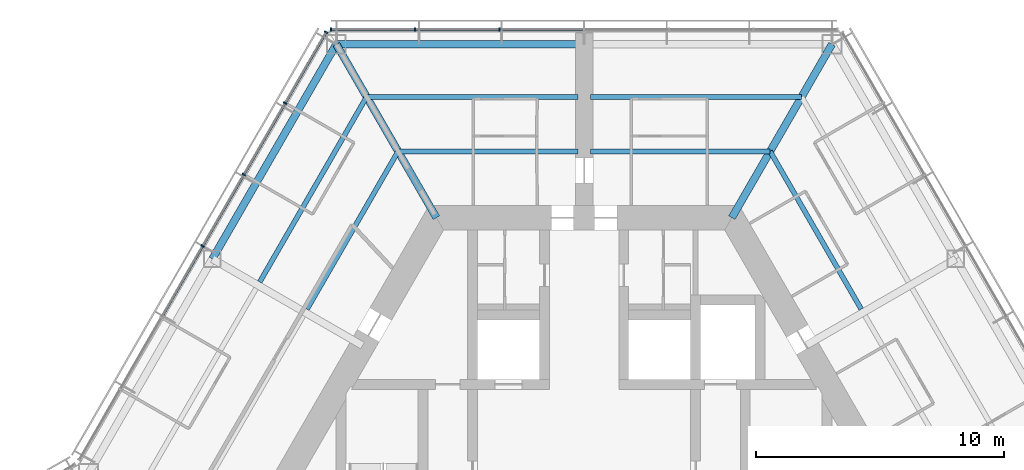
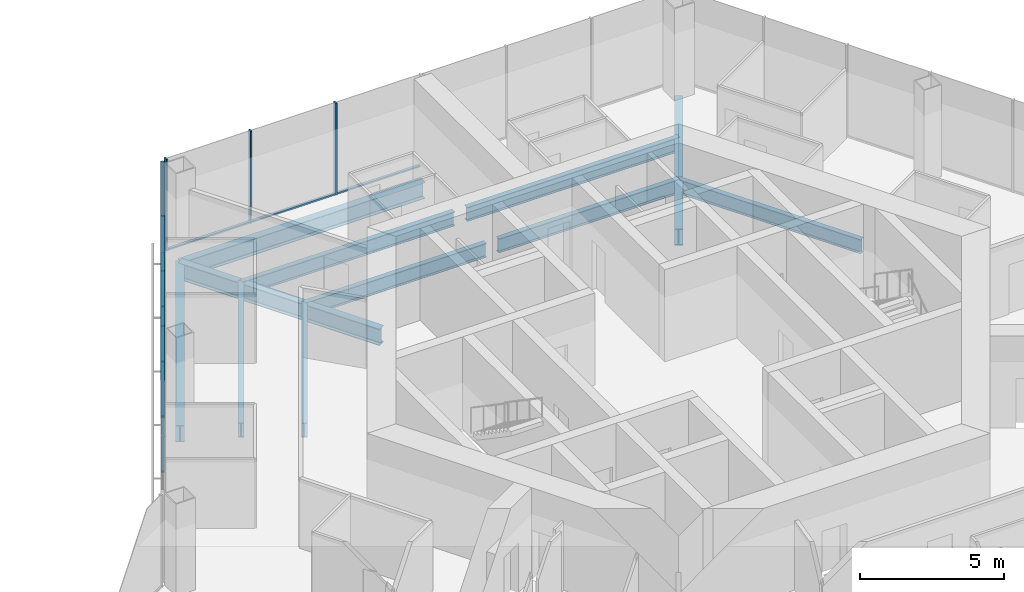
# One storey, part 7 of 19: 14 members, 11 beams, 2 elements without a shape of their own.
"""IFC4 building model written with IfcOpenShell, lengths in metres."""

import ifcopenshell
import ifcopenshell.guid

model = None  # the IFC model being written
_history = None  # IfcOwnerHistory: only IFC2X3 demands one
_inside = {}  # id of a spatial element -> (the spatial element, [elements in it])
_under = {}  # id of a project, library or spatial element -> (it, [spatial elements below it])
_declared = {}  # id of a project -> (the project, [libraries it declares])
_typed = {}  # id of a type object -> (the type object, [elements of that type])
_made_of = {}  # id of a material, layer set ... -> (it, [elements and type objects made of it])


def new_model(schema):
    """Start an empty IFC model of exactly this schema.

    Asked for "IFC4X3", IfcOpenShell would pick the latest addendum, in which some entities
    have other attributes; the version numbers below select the first issue.
    IFC2X3 requires an IfcOwnerHistory on every rooted entity: one is made here for all.
    """
    global model, _history
    if schema == "IFC4X3":
        model = ifcopenshell.file(schema_version=(4, 3, 0, 0))
    else:
        model = ifcopenshell.file(schema=schema)
    _inside.clear()
    _under.clear()
    _declared.clear()
    _typed.clear()
    _made_of.clear()
    _history = None
    if model.schema == "IFC2X3":
        org = make("IfcOrganization", Name="unknown")
        user = make(
            "IfcPersonAndOrganization",
            ThePerson=make("IfcPerson", FamilyName="unknown"),
            TheOrganization=org,
        )
        app = make(
            "IfcApplication",
            ApplicationDeveloper=org,
            Version="unknown",
            ApplicationFullName="unknown",
            ApplicationIdentifier="unknown",
        )
        _history = make(
            "IfcOwnerHistory",
            OwningUser=user,
            OwningApplication=app,
            ChangeAction="ADDED",
            CreationDate=0,
        )
    return model


def make(cls, **values):
    """One entity of the class cls with the attributes given. An attribute that is None is left unset."""
    return model.create_entity(
        cls, **{name: value for name, value in values.items() if value is not None}
    )


def rooted(cls, **values):
    """An entity with a GlobalId (a new one), such as an element, a storey or a relation."""
    return make(cls, GlobalId=ifcopenshell.guid.new(), OwnerHistory=_history, **values)


def si_unit(unit_type, name, prefix=None):
    """IfcSIUnit, for example si_unit("LENGTHUNIT", "METRE", prefix="MILLI")."""
    return make("IfcSIUnit", UnitType=unit_type, Prefix=prefix, Name=name)


def assignment(units):
    """IfcUnitAssignment: the units of a project."""
    return None if units is None else make("IfcUnitAssignment", Units=units)


def point(xyz):
    """IfcCartesianPoint."""
    return None if xyz is None else make("IfcCartesianPoint", Coordinates=xyz)


def direction(xyz):
    """IfcDirection."""
    return None if xyz is None else make("IfcDirection", DirectionRatios=xyz)


def frame(location, z_axis=None, x_axis=None):
    """IfcAxis2Placement3D, a coordinate frame: its origin and axes. An axis left out is left unset."""
    return make(
        "IfcAxis2Placement3D",
        Location=point(location),
        Axis=direction(z_axis),
        RefDirection=direction(x_axis),
    )


def frame_2d(location, x_axis=None):
    """IfcAxis2Placement2D, a coordinate frame in the plane: its origin and x axis."""
    return make(
        "IfcAxis2Placement2D", Location=point(location), RefDirection=direction(x_axis)
    )


def origin():
    """The frame at (0, 0, 0) with its axes left unset."""
    return frame((0.0, 0.0, 0.0))


def origin_2d():
    """The frame at (0, 0) in the plane with its x axis left unset."""
    return frame_2d((0.0, 0.0))


def place(relative_to, where):
    """IfcLocalPlacement: puts the frame where relative to a parent placement (None: the world)."""
    return make(
        "IfcLocalPlacement", PlacementRelTo=relative_to, RelativePlacement=where
    )


def context(
    kind, dimensions, precision=None, world=None, true_north=None, identifier=None
):
    """IfcGeometricRepresentationContext, for example the 3D "Model" context."""
    return make(
        "IfcGeometricRepresentationContext",
        ContextIdentifier=identifier,
        ContextType=kind,
        CoordinateSpaceDimension=dimensions,
        Precision=precision,
        WorldCoordinateSystem=world,
        TrueNorth=true_north,
    )


def subcontext(parent, identifier, kind, view, scale=None):
    """IfcGeometricRepresentationSubContext, for example "Body" below "Model"."""
    return make(
        "IfcGeometricRepresentationSubContext",
        ContextIdentifier=identifier,
        ContextType=kind,
        ParentContext=parent,
        TargetScale=scale,
        TargetView=view,
    )


def project(units=None, contexts=None):
    """IfcProject with its units and contexts."""
    return rooted(
        "IfcProject",
        Name="project",
        RepresentationContexts=contexts,
        UnitsInContext=assignment(units),
    )


def spatial(cls, under=None, at=None, **own):
    """A site, building, storey or space (cls), placed at a placement, below another one or the project."""
    s = rooted(cls, ObjectPlacement=at, **own)
    if under is not None:
        _under.setdefault(under.id(), (under, []))[1].append(s)
    return s


def profile(cls, at=None, kind="AREA", **sizes):
    """A parametric profile (cls). Its sizes go by their IFC names, for example OverallWidth=200.0."""
    return make(cls, ProfileType=kind, Position=at, **sizes)


def rectangle(**sizes):
    """IfcRectangleProfileDef."""
    return profile("IfcRectangleProfileDef", **sizes)


def i_section(**sizes):
    """IfcIShapeProfileDef."""
    return profile("IfcIShapeProfileDef", **sizes)


def extrude(swept, where, along, depth):
    """IfcExtrudedAreaSolid: the profile swept, set in the frame where, extruded along a direction by depth."""
    return make(
        "IfcExtrudedAreaSolid",
        SweptArea=swept,
        Position=where,
        ExtrudedDirection=direction(along),
        Depth=depth,
    )


def shape(context_of_items, identifier, shape_type, items):
    """IfcShapeRepresentation: the items that make up one representation, for example the "Body"."""
    return make(
        "IfcShapeRepresentation",
        ContextOfItems=context_of_items,
        RepresentationIdentifier=identifier,
        RepresentationType=shape_type,
        Items=items,
    )


def material(Name=None, Category=None):
    """IfcMaterial."""
    return make("IfcMaterial", Name=Name, Category=Category)


def material_profile(
    of_material, cross_section, Name=None, Category=None, Priority=None
):
    """IfcMaterialProfile: a cross section and its material."""
    return make(
        "IfcMaterialProfile",
        Name=Name,
        Material=of_material,
        Profile=cross_section,
        Priority=Priority,
        Category=Category,
    )


def profile_set(profiles, Name=None, composite=None):
    """IfcMaterialProfileSet."""
    return make(
        "IfcMaterialProfileSet",
        Name=Name,
        MaterialProfiles=profiles,
        CompositeProfile=composite,
    )


def made_of(thing, what):
    """Note that an element or type object is made of a material, layer set ...; save() writes the relation."""
    if what is not None:
        _made_of.setdefault(what.id(), (what, []))[1].append(thing)
    return thing


def type_object(cls, material=None, **own):
    """A type object (cls), such as IfcWallType, which elements share."""
    return made_of(rooted(cls, **own), material)


def element(
    cls,
    number,
    at=None,
    inside=None,
    cuts=None,
    type_object=None,
    material=None,
    context=None,
    identifier="Body",
    shape_type=None,
    held_by="IfcProductDefinitionShape",
    body=None,
    shapes=None,
    **own,
):
    """One element of the class cls, such as IfcWall. Its Tag is "e" and its number.

    at: its placement. inside: the storey or other place that contains it. cuts: it is an
    opening in that element (IfcRelVoidsElement). A single representation is given by context,
    identifier, shape_type and body (its items); several are given by shapes. held_by: the class
    of the entity that holds the representations. save() writes the other relations.
    """
    e = rooted(cls, Tag="e%d" % number, ObjectPlacement=at, **own)
    if body is not None:
        shapes = [shape(context, identifier, shape_type, body)]
    if shapes is not None:
        e.Representation = make(held_by, Representations=shapes)
    if inside is not None:
        _inside.setdefault(inside.id(), (inside, []))[1].append(e)
    if cuts is not None:
        rooted(
            "IfcRelVoidsElement", RelatingBuildingElement=cuts, RelatedOpeningElement=e
        )
    if type_object is not None:
        _typed.setdefault(type_object.id(), (type_object, []))[1].append(e)
    return made_of(e, material)


def aggregate(whole, parts):
    """IfcRelAggregates: a whole, such as a stair, and the parts it consists of."""
    return rooted("IfcRelAggregates", RelatingObject=whole, RelatedObjects=parts)


def save(model, path):
    """Write the relations noted so far, then the file.

    IfcRelAggregates (storeys below a building ...), IfcRelContainedInSpatialStructure (elements
    in a storey), IfcRelDefinesByType, IfcRelAssociatesMaterial and IfcRelDeclares: one each for
    every whole, place, type object, material and project.
    """
    for whole, parts in _under.values():
        aggregate(whole, parts)
    for where, things in _inside.values():
        rooted(
            "IfcRelContainedInSpatialStructure",
            RelatedElements=things,
            RelatingStructure=where,
        )
    for kind, things in _typed.values():
        rooted("IfcRelDefinesByType", RelatedObjects=things, RelatingType=kind)
    for what, things in _made_of.values():
        rooted("IfcRelAssociatesMaterial", RelatedObjects=things, RelatingMaterial=what)
    for by, libraries in _declared.values():
        rooted("IfcRelDeclares", RelatingContext=by, RelatedDefinitions=libraries)
    model.write(path)


model = new_model("IFC4")

# Units and contexts
model_context = context("Model", 3, precision=1e-05, world=origin(), true_north=direction((0.0, 1.0)))
body_context = subcontext(model_context, "Body", "Model", "MODEL_VIEW")
ifc_project = project(units=[si_unit("LENGTHUNIT", "METRE"), si_unit("AREAUNIT", "SQUARE_METRE"), si_unit("VOLUMEUNIT", "CUBIC_METRE"), si_unit("PLANEANGLEUNIT", "RADIAN"), si_unit("MASSUNIT", "GRAM", prefix="KILO")], contexts=[model_context])

# Site, building, storey
site_placement = place(None, origin())
site = spatial("IfcSite", under=ifc_project, at=site_placement, CompositionType="ELEMENT")
building_placement = place(site_placement, origin())
building = spatial("IfcBuilding", under=site, at=building_placement, Name="Kasaneha Research Tower", CompositionType="ELEMENT")
storey_placement = place(building_placement, frame((0.0, 0.0, 164.300048828125)))
storey = spatial("IfcBuildingStorey", under=building, at=storey_placement, Name="L41", CompositionType="ELEMENT", Elevation=164.300048828125)

# Beams
ifc_material_1 = material(Name="Steel SN490B", Category="steel")
ifc_material_profile_1 = material_profile(ifc_material_1, i_section(OverallWidth=0.199951171875, OverallDepth=0.60009765625, WebThickness=0.010986328125, FlangeThickness=0.01708984375, FilletRadius=0.012939453125, at=origin_2d()), Name="H-600x200x11x17")
ifc_profile_set_1 = profile_set([ifc_material_profile_1], Name="Steel SN490B")
beam_type_1 = type_object("IfcBeamType", Name="B1-3 secondary beam H-600x200x11x17", PredefinedType="JOIST", material=ifc_profile_set_1)
beam_1_placement = place(storey_placement, frame((7.505615234375, 13.0, -0.449951171875), z_axis=(0.499994443168, -0.866028611999, 0.0), x_axis=(0.866028611999, 0.499994443168, 0.0)))
element("IfcBeam", 1, at=beam_1_placement, inside=storey, type_object=beam_type_1, Name="Secondary beam RS030R1 L41", PredefinedType="JOIST", context=body_context, shape_type="SweptSolid", body=[
    extrude(i_section(OverallWidth=0.199951171875, OverallDepth=0.60009765625, WebThickness=0.010986328125, FlangeThickness=0.01708984375, FilletRadius=0.012939453125, at=origin_2d()), origin(), (0.0, 0.0, 1.0), 7.35546875),
])
beam_2_placement = place(storey_placement, frame((7.505615234375, 13.0, -0.449951171875), z_axis=(-1.0, 0.0, 0.0), x_axis=(0.0, -1.0, 0.0)))
element("IfcBeam", 2, at=beam_2_placement, inside=storey, type_object=beam_type_1, Name="Secondary beam RS090L1 L41", PredefinedType="JOIST", context=body_context, shape_type="SweptSolid", body=[
    extrude(i_section(OverallWidth=0.199951171875, OverallDepth=0.60009765625, WebThickness=0.010986328125, FlangeThickness=0.01708984375, FilletRadius=0.012939453125, at=origin_2d()), origin(), (0.0, 0.0, 1.0), 7.255615234375),
])
beam_3_placement = place(storey_placement, frame((8.775634765625, 15.199951171875, -0.449951171875), z_axis=(-1.0, 0.0, 0.0), x_axis=(0.0, -1.0, 0.0)))
element("IfcBeam", 3, at=beam_3_placement, inside=storey, type_object=beam_type_1, Name="Secondary beam RS090L2 L41", PredefinedType="JOIST", context=body_context, shape_type="SweptSolid", body=[
    extrude(i_section(OverallWidth=0.199951171875, OverallDepth=0.60009765625, WebThickness=0.010986328125, FlangeThickness=0.01708984375, FilletRadius=0.012939453125, at=origin_2d()), origin(), (0.0, 0.0, 1.0), 8.525634765625),
])
beam_4_placement = place(storey_placement, frame((-7.505615234375, 13.0, -0.449951171875), z_axis=(1.0, 0.0, 0.0), x_axis=(0.0, 1.0, 0.0)))
element("IfcBeam", 4, at=beam_4_placement, inside=storey, type_object=beam_type_1, Name="Secondary beam RS090R1 L41", PredefinedType="JOIST", context=body_context, shape_type="SweptSolid", body=[
    extrude(i_section(OverallWidth=0.199951171875, OverallDepth=0.60009765625, WebThickness=0.010986328125, FlangeThickness=0.01708984375, FilletRadius=0.012939453125, at=origin_2d()), origin(), (0.0, 0.0, 1.0), 7.255615234375),
])
beam_5_placement = place(storey_placement, frame((-8.775634765625, 15.199951171875, -0.449951171875), z_axis=(1.0, 0.0, 0.0), x_axis=(0.0, 1.0, 0.0)))
element("IfcBeam", 5, at=beam_5_placement, inside=storey, type_object=beam_type_1, Name="Secondary beam RS090R2 L41", PredefinedType="JOIST", context=body_context, shape_type="SweptSolid", body=[
    extrude(i_section(OverallWidth=0.199951171875, OverallDepth=0.60009765625, WebThickness=0.010986328125, FlangeThickness=0.01708984375, FilletRadius=0.012939453125, at=origin_2d()), origin(), (0.0, 0.0, 1.0), 8.525634765625),
])
beam_6_placement = place(storey_placement, frame((-7.505615234375, 13.0, -0.449951171875), z_axis=(-0.499994443168, -0.866028611999, 0.0), x_axis=(0.866028611999, -0.499994443168, 0.0)))
element("IfcBeam", 6, at=beam_6_placement, inside=storey, type_object=beam_type_1, Name="Secondary beam RS150L1 L41", PredefinedType="JOIST", context=body_context, shape_type="SweptSolid", body=[
    extrude(i_section(OverallWidth=0.199951171875, OverallDepth=0.60009765625, WebThickness=0.010986328125, FlangeThickness=0.01708984375, FilletRadius=0.012939453125, at=origin_2d()), origin(), (0.0, 0.0, 1.0), 7.35546875),
])
beam_7_placement = place(storey_placement, frame((-8.775634765625, 15.199951171875, -0.449951171875), z_axis=(-0.500017275495, -0.866015429543, 0.0), x_axis=(0.866015429543, -0.500017275495, 0.0)))
element("IfcBeam", 7, at=beam_7_placement, inside=storey, type_object=beam_type_1, Name="Secondary beam RS150L2 L41", PredefinedType="JOIST", context=body_context, shape_type="SweptSolid", body=[
    extrude(i_section(OverallWidth=0.199951171875, OverallDepth=0.60009765625, WebThickness=0.010986328125, FlangeThickness=0.01708984375, FilletRadius=0.012939453125, at=origin_2d()), origin(), (0.0, 0.0, 1.0), 8.625732421875),
])

# Curtain wall, members
ifc_material_2 = material(Name="Glass and aluminium", Category="aluminium")
curtain_wall_type = type_object("IfcCurtainWallType", Name="Mid-rise office curtain wall", PredefinedType="USERDEFINED", material=ifc_material_2)
curtain_wall_1_placement = place(storey_placement, origin())
curtain_wall_1 = element("IfcCurtainWall", 8, at=curtain_wall_1_placement, inside=storey, type_object=curtain_wall_type, Name="CW-O2 L41 run 07a", ObjectType="UNITISED CURTAIN WALL", PredefinedType="USERDEFINED")
ifc_material_3 = material(Name="Aluminium 6063-T6", Category="aluminium")
ifc_material_profile_2 = material_profile(ifc_material_3, rectangle(XDim=0.06005859375, YDim=0.14990234375, at=origin_2d()), Name="CW-O2 mullion 60x150")
ifc_profile_set_2 = profile_set([ifc_material_profile_2], Name="Aluminium 6063-T6")
member_type_1 = type_object("IfcMemberType", Name="CW-O2 mullion", PredefinedType="MULLION", material=ifc_profile_set_2)
member_1_placement = place(storey_placement, frame((-3.41552734375, 17.92041015625, 0.0), z_axis=(0.0, 0.0, 1.0), x_axis=(-1.0, 0.0, 0.0)))
member_1 = element("IfcMember", 9, at=member_1_placement, type_object=member_type_1, Name="CW-O2 mullion 5", PredefinedType="MULLION", context=body_context, shape_type="SweptSolid", body=[
    extrude(rectangle(XDim=0.06005859375, YDim=0.14990234375, at=origin_2d()), origin(), (0.0, 0.0, 1.0), 3.89990234375),
])
member_2_placement = place(storey_placement, frame((-6.8310546875, 17.92041015625, 0.0), z_axis=(0.0, 0.0, 1.0), x_axis=(-1.0, 0.0, 0.0)))
member_2 = element("IfcMember", 10, at=member_2_placement, type_object=member_type_1, Name="CW-O2 mullion 6", PredefinedType="MULLION", context=body_context, shape_type="SweptSolid", body=[
    extrude(rectangle(XDim=0.06005859375, YDim=0.14990234375, at=origin_2d()), origin(), (0.0, 0.0, 1.0), 3.89990234375),
])
member_3_placement = place(storey_placement, frame((-10.21630859375, 17.92041015625, 0.0), z_axis=(0.0, 0.0, 1.0), x_axis=(-1.0, 0.0, 0.0)))
member_3 = element("IfcMember", 11, at=member_3_placement, type_object=member_type_1, Name="CW-O2 mullion 7", PredefinedType="MULLION", context=body_context, shape_type="SweptSolid", body=[
    extrude(rectangle(XDim=0.06005859375, YDim=0.14990234375, at=origin_2d()), origin(), (0.0, 0.0, 1.0), 3.89990234375),
])

curtain_wall_2_placement = place(storey_placement, origin())
curtain_wall_2 = element("IfcCurtainWall", 12, at=curtain_wall_2_placement, inside=storey, type_object=curtain_wall_type, Name="CW-O2 L41 run 08a", ObjectType="UNITISED CURTAIN WALL", PredefinedType="USERDEFINED")
member_4_placement = place(storey_placement, frame((-10.411376953125, 17.807861328125, 0.0), z_axis=(0.0, 0.0, 1.0), x_axis=(-0.499999979232, -0.866025415775, 0.0)))
member_4 = element("IfcMember", 13, at=member_4_placement, type_object=member_type_1, Name="CW-O2 mullion 1", PredefinedType="MULLION", context=body_context, shape_type="SweptSolid", body=[
    extrude(rectangle(XDim=0.06005859375, YDim=0.14990234375, at=origin_2d()), origin(), (0.0, 0.0, 1.0), 3.89990234375),
])
member_5_placement = place(storey_placement, frame((-12.061767578125, 14.94921875, 0.0), z_axis=(0.0, 0.0, 1.0), x_axis=(-0.499999979232, -0.866025415775, 0.0)))
member_5 = element("IfcMember", 14, at=member_5_placement, type_object=member_type_1, Name="CW-O2 mullion 2", PredefinedType="MULLION", context=body_context, shape_type="SweptSolid", body=[
    extrude(rectangle(XDim=0.06005859375, YDim=0.14990234375, at=origin_2d()), origin(), (0.0, 0.0, 1.0), 3.89990234375),
])
member_6_placement = place(storey_placement, frame((-13.727294921875, 12.064453125, 0.0), z_axis=(0.0, 0.0, 1.0), x_axis=(-0.499999979232, -0.866025415775, 0.0)))
member_6 = element("IfcMember", 15, at=member_6_placement, type_object=member_type_1, Name="CW-O2 mullion 3", PredefinedType="MULLION", context=body_context, shape_type="SweptSolid", body=[
    extrude(rectangle(XDim=0.06005859375, YDim=0.14990234375, at=origin_2d()), origin(), (0.0, 0.0, 1.0), 3.89990234375),
])
member_7_placement = place(storey_placement, frame((-15.392822265625, 9.179931640625, 0.0), z_axis=(0.0, 0.0, 1.0), x_axis=(-0.499999979232, -0.866025415775, 0.0)))
member_7 = element("IfcMember", 16, at=member_7_placement, type_object=member_type_1, Name="CW-O2 mullion 4", PredefinedType="MULLION", context=body_context, shape_type="SweptSolid", body=[
    extrude(rectangle(XDim=0.06005859375, YDim=0.14990234375, at=origin_2d()), origin(), (0.0, 0.0, 1.0), 3.89990234375),
])

# Member
ifc_material_4 = material(Name="Aluminium 6063-T6", Category="aluminium")
ifc_material_profile_3 = material_profile(ifc_material_4, rectangle(XDim=0.110107421875, YDim=0.06005859375, at=origin_2d()), Name="CW-O2 transom 110x60")
ifc_profile_set_3 = profile_set([ifc_material_profile_3], Name="Aluminium 6063-T6")
member_type_2 = type_object("IfcMemberType", Name="CW-O2 transom", PredefinedType="USERDEFINED", material=ifc_profile_set_3)
member_8_placement = place(storey_placement, frame((-0.030029296875, 17.92041015625, 0.030029296875), z_axis=(-1.0, 0.0, 0.0), x_axis=(0.0, -1.0, 0.0)))
member_8 = element("IfcMember", 17, at=member_8_placement, type_object=member_type_2, Name="CW-O2 transom 4", ObjectType="TRANSOM", PredefinedType="USERDEFINED", context=body_context, shape_type="SweptSolid", body=[
    extrude(rectangle(XDim=0.110107421875, YDim=0.06005859375, at=origin_2d()), origin(), (0.0, 0.0, 1.0), 3.35546875),
])

member_9_placement = place(storey_placement, frame((-3.445556640625, 17.92041015625, 0.030029296875), z_axis=(-1.0, 0.0, 0.0), x_axis=(0.0, -1.0, 0.0)))
member_9 = element("IfcMember", 18, at=member_9_placement, type_object=member_type_2, Name="CW-O2 transom 5", ObjectType="TRANSOM", PredefinedType="USERDEFINED", context=body_context, shape_type="SweptSolid", body=[
    extrude(rectangle(XDim=0.110107421875, YDim=0.06005859375, at=origin_2d()), origin(), (0.0, 0.0, 1.0), 3.35546875),
])

member_10_placement = place(storey_placement, frame((-6.86083984375, 17.92041015625, 0.030029296875), z_axis=(-1.0, 0.0, 0.0), x_axis=(0.0, -1.0, 0.0)))
member_10 = element("IfcMember", 19, at=member_10_placement, type_object=member_type_2, Name="CW-O2 transom 6", ObjectType="TRANSOM", PredefinedType="USERDEFINED", context=body_context, shape_type="SweptSolid", body=[
    extrude(rectangle(XDim=0.110107421875, YDim=0.06005859375, at=origin_2d()), origin(), (0.0, 0.0, 1.0), 3.32568359375),
])

aggregate(curtain_wall_1, [member_1, member_2, member_3, member_8, member_9, member_10])

member_11_placement = place(storey_placement, frame((-10.426513671875, 17.781982421875, 0.030029296875), z_axis=(-0.499955025697, -0.866051368154, 0.0), x_axis=(0.866051368154, -0.499955025697, 0.0)))
member_11 = element("IfcMember", 20, at=member_11_placement, type_object=member_type_2, Name="CW-O2 transom 1", ObjectType="TRANSOM", PredefinedType="USERDEFINED", context=body_context, shape_type="SweptSolid", body=[
    extrude(rectangle(XDim=0.110107421875, YDim=0.06005859375, at=origin_2d()), origin(), (0.0, 0.0, 1.0), 3.240966796875),
])

member_12_placement = place(storey_placement, frame((-12.076904296875, 14.92333984375, 0.030029296875), z_axis=(-0.500000270186, -0.866025247793, 0.0), x_axis=(0.866025247793, -0.500000270186, 0.0)))
member_12 = element("IfcMember", 21, at=member_12_placement, type_object=member_type_2, Name="CW-O2 transom 2", ObjectType="TRANSOM", PredefinedType="USERDEFINED", context=body_context, shape_type="SweptSolid", body=[
    extrude(rectangle(XDim=0.110107421875, YDim=0.06005859375, at=origin_2d()), origin(), (0.0, 0.0, 1.0), 3.27099609375),
])

member_13_placement = place(storey_placement, frame((-13.742431640625, 12.03857421875, 0.030029296875), z_axis=(-0.500000270186, -0.866025247793, 0.0), x_axis=(0.866025247793, -0.500000270186, 0.0)))
member_13 = element("IfcMember", 22, at=member_13_placement, type_object=member_type_2, Name="CW-O2 transom 3", ObjectType="TRANSOM", PredefinedType="USERDEFINED", context=body_context, shape_type="SweptSolid", body=[
    extrude(rectangle(XDim=0.110107421875, YDim=0.06005859375, at=origin_2d()), origin(), (0.0, 0.0, 1.0), 3.27099609375),
])

member_14_placement = place(storey_placement, frame((-15.40771484375, 9.15380859375, 0.030029296875), z_axis=(-0.50003259116, -0.866006586452, 0.0), x_axis=(0.866006586452, -0.50003259116, 0.0)))
member_14 = element("IfcMember", 23, at=member_14_placement, type_object=member_type_2, Name="CW-O2 transom 4", ObjectType="TRANSOM", PredefinedType="USERDEFINED", context=body_context, shape_type="SweptSolid", body=[
    extrude(rectangle(XDim=0.110107421875, YDim=0.06005859375, at=origin_2d()), origin(), (0.0, 0.0, 1.0), 3.270751953125),
])

aggregate(curtain_wall_2, [member_4, member_5, member_6, member_7, member_11, member_12, member_13, member_14])

# Beams
ifc_material_5 = material(Name="Steel SN490B", Category="steel")
ifc_material_profile_4 = material_profile(ifc_material_5, i_section(OverallWidth=0.300048828125, OverallDepth=0.699951171875, WebThickness=0.012939453125, FlangeThickness=0.02392578125, FilletRadius=0.01806640625, at=origin_2d()), Name="H-700x300x13x24")
ifc_profile_set_4 = profile_set([ifc_material_profile_4], Name="Steel SN490B")
beam_type_2 = type_object("IfcBeamType", Name="G1-3 radial girder H-700x300x13x24", PredefinedType="BEAM", material=ifc_profile_set_4)
for number, where, z_axis, x_axis, name in (
    (24, (5.961181640625, 10.324951171875, -0.5), (0.49999105496, 0.866030568144, 0.0), (-0.866030568144, 0.49999105496, 0.0), "Radial girder RV060 L41"),
    (25, (-5.961181640625, 10.324951171875, -0.5), (-0.49999105496, 0.866030568144, 0.0), (-0.866030568144, -0.49999105496, 0.0), "Radial girder RV120 L41"),
):
    element("IfcBeam", number, at=place(storey_placement, frame(where, z_axis=z_axis, x_axis=x_axis)), inside=storey, type_object=beam_type_2, Name=name, PredefinedType="BEAM", context=body_context, shape_type="SweptSolid", body=[
        extrude(i_section(OverallWidth=0.300048828125, OverallDepth=0.699951171875, WebThickness=0.012939453125, FlangeThickness=0.02392578125, FilletRadius=0.01806640625, at=origin_2d()), origin(), (0.0, 0.0, 1.0), 8.077880859375),
    ])
ifc_material_6 = material(Name="Steel SN490B", Category="steel")
ifc_material_profile_5 = material_profile(ifc_material_6, i_section(OverallWidth=0.300048828125, OverallDepth=0.69189453125, WebThickness=0.012939453125, FlangeThickness=0.02001953125, FilletRadius=0.01806640625, at=origin_2d()), Name="H-692x300x13x20")
ifc_profile_set_5 = profile_set([ifc_material_profile_5], Name="Steel SN490B")
beam_type_3 = type_object("IfcBeamType", Name="G3-3 plate edge girder H-692x300x13x20", PredefinedType="BEAM", material=ifc_profile_set_5)
beam_8_placement = place(storey_placement, frame((-10.0, 17.320556640625, -0.49609375), z_axis=(1.0, 0.0, 0.0), x_axis=(0.0, 1.0, 0.0)))
element("IfcBeam", 26, at=beam_8_placement, inside=storey, type_object=beam_type_3, Name="Plate edge girder PEAN L41", PredefinedType="BEAM", context=body_context, shape_type="SweptSolid", body=[
    extrude(i_section(OverallWidth=0.300048828125, OverallDepth=0.69189453125, WebThickness=0.012939453125, FlangeThickness=0.02001953125, FilletRadius=0.01806640625, at=origin_2d()), origin(), (0.0, 0.0, 1.0), 9.75),
])
ifc_material_7 = material(Name="Steel SN490B", Category="steel")
ifc_material_profile_6 = material_profile(ifc_material_7, i_section(OverallWidth=0.300048828125, OverallDepth=0.69189453125, WebThickness=0.012939453125, FlangeThickness=0.02001953125, FilletRadius=0.01806640625, at=origin_2d()), Name="H-692x300x13x20")
ifc_profile_set_6 = profile_set([ifc_material_profile_6], Name="Steel SN490B")
beam_type_4 = type_object("IfcBeamType", Name="SB1-3 spandrel beam H-692x300x13x20", PredefinedType="SPANDREL", material=ifc_profile_set_6)
beam_9_placement = place(storey_placement, frame((-10.0, 17.320556640625, -0.49609375), z_axis=(-0.499993662806, -0.866029062534, 0.0), x_axis=(0.866029062534, -0.499993662806, 0.0)))
element("IfcBeam", 27, at=beam_9_placement, inside=storey, type_object=beam_type_4, Name="Spandrel beam SR150L L41", PredefinedType="SPANDREL", context=body_context, shape_type="SweptSolid", body=[
    extrude(i_section(OverallWidth=0.300048828125, OverallDepth=0.69189453125, WebThickness=0.012939453125, FlangeThickness=0.02001953125, FilletRadius=0.01806640625, at=origin_2d()), origin(), (0.0, 0.0, 1.0), 10.000244140625),
])

save(model, "model.ifc")
